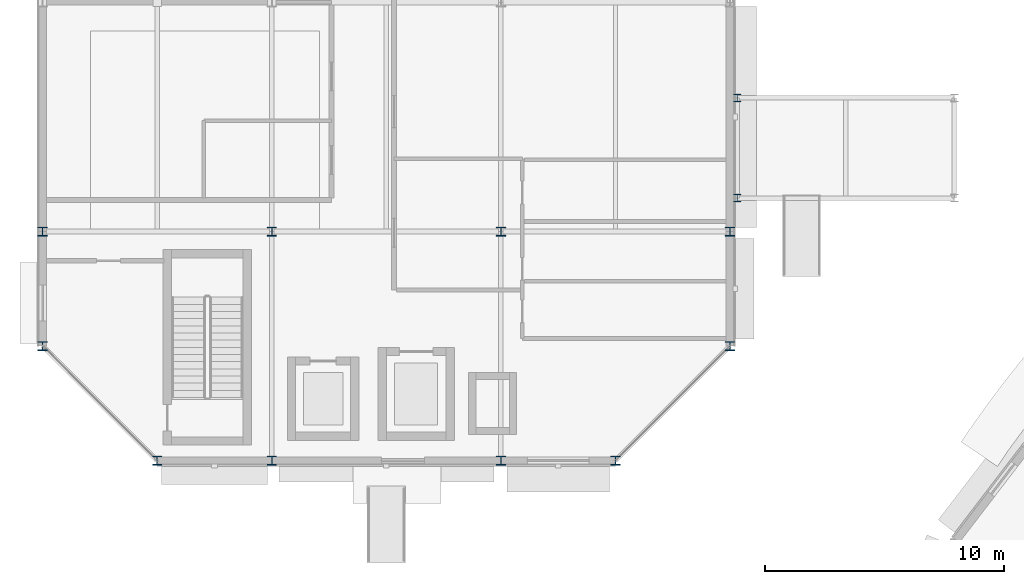
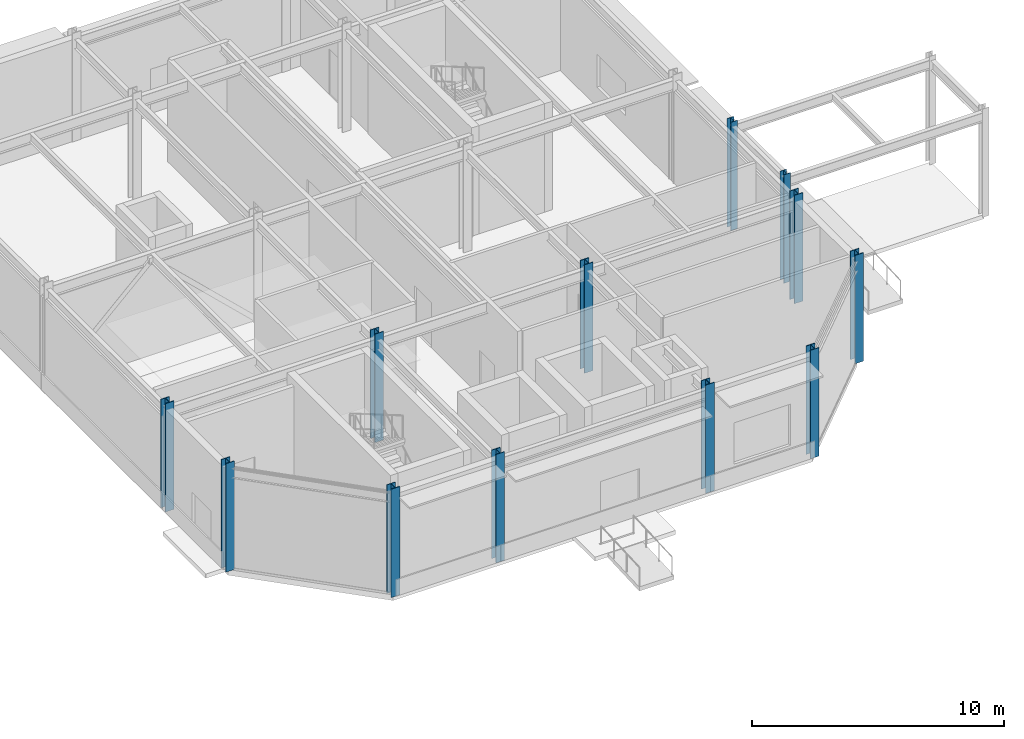
# One storey, part 9 of 168: 12 columns.
"""IFC4 building model written with IfcOpenShell, lengths in metres."""

from ifc_helpers import new_model, si_unit, direction, frame, origin, origin_2d, place, context, subcontext, project, spatial, i_section, extrude, material, material_profile, profile_set, type_object, element, save


model = new_model("IFC4")

# Units and contexts
model_context = context("Model", 3, precision=1e-05, world=origin(), true_north=direction((0.0, 1.0)))
body_context = subcontext(model_context, "Body", "Model", "MODEL_VIEW")
ifc_project = project(units=[si_unit("LENGTHUNIT", "METRE"), si_unit("AREAUNIT", "SQUARE_METRE"), si_unit("VOLUMEUNIT", "CUBIC_METRE"), si_unit("PLANEANGLEUNIT", "RADIAN"), si_unit("MASSUNIT", "GRAM", prefix="KILO")], contexts=[model_context])

# Site, building, storey
site_placement = place(None, origin())
site = spatial("IfcSite", under=ifc_project, at=site_placement, CompositionType="ELEMENT")
building_placement = place(site_placement, origin())
building = spatial("IfcBuilding", under=site, at=building_placement, Name="Almandine Court Research Institute", CompositionType="ELEMENT")
storey_placement = place(building_placement, origin())
storey = spatial("IfcBuildingStorey", under=building, at=storey_placement, Name="L00", CompositionType="ELEMENT", Elevation=0.0)

# Columns
ifc_material = material(Name="Steel ASTM A992 Grade 50", Category="steel")
ifc_material_profile_1 = material_profile(ifc_material, i_section(OverallWidth=0.39404296875, OverallDepth=0.375, WebThickness=0.02001953125, FlangeThickness=0.031982421875, at=origin_2d()), Name="W360x216")
ifc_profile_set_1 = profile_set([ifc_material_profile_1], Name="Steel ASTM A992 Grade 50")
column_type_1 = type_object("IfcColumnType", Name="Col-C-W02", PredefinedType="COLUMN", material=ifc_profile_set_1)
for number, where, z_axis, x_axis, name in (
    (1, (15.60009765625, 93.60009765625, 0.0), (0.0, 0.0, 1.0), (1.0, 0.0, 0.0), "L00 V3 Column V3-X2Y2"),
    (2, (25.199951171875, 93.60009765625, 0.0), (0.0, 0.0, 1.0), (1.0, 0.0, 0.0), "L00 V3 Column V3-X3Y2"),
):
    element("IfcColumn", number, at=place(storey_placement, frame(where, z_axis=z_axis, x_axis=x_axis)), inside=storey, type_object=column_type_1, Name=name, PredefinedType="COLUMN", context=body_context, shape_type="SweptSolid", body=[
        extrude(i_section(OverallWidth=0.39404296875, OverallDepth=0.375, WebThickness=0.02001953125, FlangeThickness=0.031982421875, at=origin_2d()), origin(), (0.0, 0.0, 1.0), 5.25),
    ])
ifc_material_profile_2 = material_profile(ifc_material, i_section(OverallWidth=0.39404296875, OverallDepth=0.375, WebThickness=0.02001953125, FlangeThickness=0.031982421875, at=origin_2d()), Name="W360x216")
ifc_profile_set_2 = profile_set([ifc_material_profile_2], Name="Steel ASTM A992 Grade 50")
column_type_2 = type_object("IfcColumnType", Name="Col-C-W02-E", PredefinedType="COLUMN", material=ifc_profile_set_2)
for number, where, z_axis, x_axis, name in (
    (3, (6.0, 93.60009765625, 0.0), (0.0, 0.0, 1.0), (1.0, 0.0, 0.0), "L00 V3 Column V3-X1Y2"),
    (4, (15.60009765625, 84.0, 0.0), (0.0, 0.0, 1.0), (1.0, 0.0, 0.0), "L00 V3 Column V3-X2Y1"),
    (5, (25.199951171875, 84.0, 0.0), (0.0, 0.0, 1.0), (1.0, 0.0, 0.0), "L00 V3 Column V3-X3Y1"),
    (6, (34.800048828125, 93.60009765625, 0.0), (0.0, 0.0, 1.0), (1.0, 0.0, 0.0), "L00 V3 Column V3-X4Y2"),
    (7, (10.800048828125, 84.0, 0.0), (0.0, 0.0, 1.0), (1.0, 0.0, 0.0), "L00 V3 Column V3-CH1"),
    (8, (30.0, 84.0, 0.0), (0.0, 0.0, 1.0), (1.0, 0.0, 0.0), "L00 V3 Column V3-CH2"),
    (9, (34.800048828125, 88.800048828125, 0.0), (0.0, 0.0, 1.0), (1.0, 0.0, 0.0), "L00 V3 Column V3-CH3"),
    (10, (6.0, 88.800048828125, 0.0), (0.0, 0.0, 1.0), (1.0, 0.0, 0.0), "L00 V3 Column V3-CH8"),
):
    element("IfcColumn", number, at=place(storey_placement, frame(where, z_axis=z_axis, x_axis=x_axis)), inside=storey, type_object=column_type_2, Name=name, PredefinedType="COLUMN", context=body_context, shape_type="SweptSolid", body=[
        extrude(i_section(OverallWidth=0.39404296875, OverallDepth=0.375, WebThickness=0.02001953125, FlangeThickness=0.031982421875, at=origin_2d()), origin(), (0.0, 0.0, 1.0), 5.25),
    ])
ifc_material_profile_3 = material_profile(ifc_material, i_section(OverallWidth=0.305908203125, OverallDepth=0.31103515625, WebThickness=0.010986328125, FlangeThickness=0.01708984375, at=origin_2d()), Name="W310x107")
ifc_profile_set_3 = profile_set([ifc_material_profile_3], Name="Steel ASTM A992 Grade 50")
column_type_3 = type_object("IfcColumnType", Name="Col-C-W08-E", PredefinedType="COLUMN", material=ifc_profile_set_3)
for number, where, z_axis, x_axis, name in (
    (11, (35.10009765625, 95.0, 0.0), (0.0, 0.0, 1.0), (1.0, 0.0, 0.0), "L00 DAL-NW Column DAL-NW-X1Y1"),
    (12, (35.10009765625, 99.199951171875, 0.0), (0.0, 0.0, 1.0), (1.0, 0.0, 0.0), "L00 DAL-NW Column DAL-NW-X1Y2"),
):
    element("IfcColumn", number, at=place(storey_placement, frame(where, z_axis=z_axis, x_axis=x_axis)), inside=storey, type_object=column_type_3, Name=name, PredefinedType="COLUMN", context=body_context, shape_type="SweptSolid", body=[
        extrude(i_section(OverallWidth=0.305908203125, OverallDepth=0.31103515625, WebThickness=0.010986328125, FlangeThickness=0.01708984375, at=origin_2d()), origin(), (0.0, 0.0, 1.0), 5.25),
    ])

save(model, "model.ifc")
